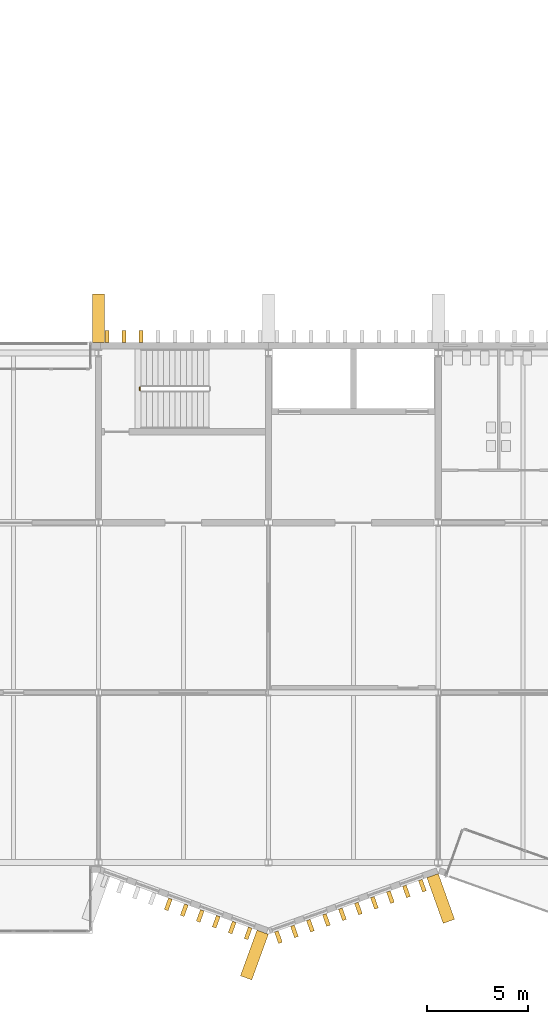
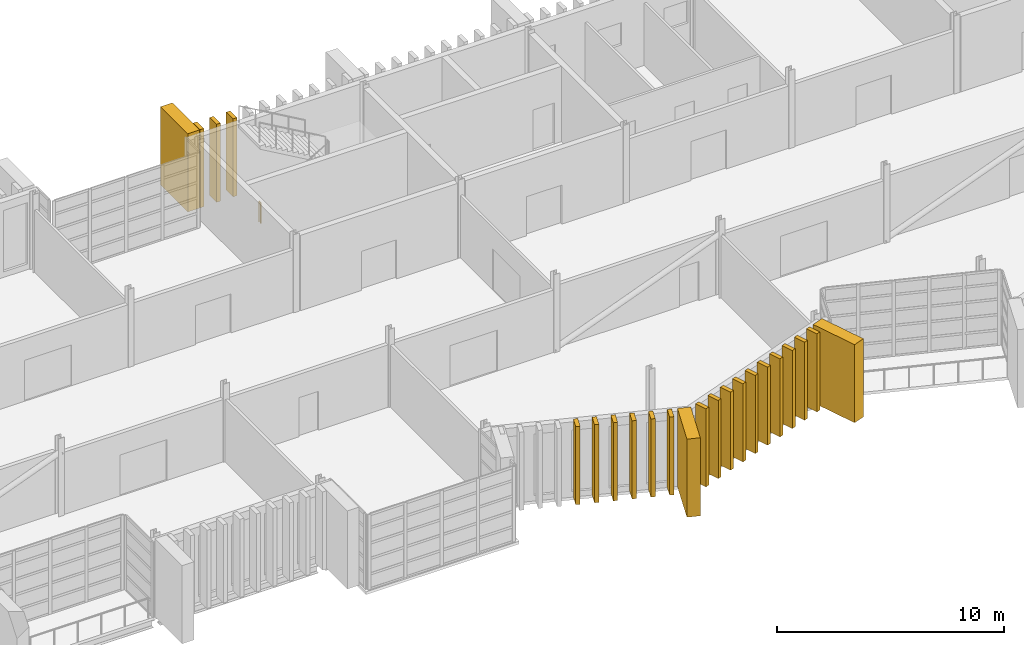
# One storey, part 92 of 100: 22 coverings, 1 railing.
"""IFC4 building model written with IfcOpenShell, lengths in metres."""

from ifc_helpers import new_model, si_unit, direction, frame, origin, origin_2d, place, context, subcontext, project, spatial, rectangle, circle, extrude, material, type_object, element, save


model = new_model("IFC4")

# Units and contexts
model_context = context("Model", 3, precision=1e-05, world=origin(), true_north=direction((0.0, 1.0)))
body_context = subcontext(model_context, "Body", "Model", "MODEL_VIEW")
ifc_project = project(units=[si_unit("LENGTHUNIT", "METRE"), si_unit("AREAUNIT", "SQUARE_METRE"), si_unit("VOLUMEUNIT", "CUBIC_METRE"), si_unit("PLANEANGLEUNIT", "RADIAN"), si_unit("MASSUNIT", "GRAM", prefix="KILO")], contexts=[model_context])

# Site, building, storey
site_placement = place(None, origin())
site = spatial("IfcSite", under=ifc_project, at=site_placement, CompositionType="ELEMENT")
building_placement = place(site_placement, origin())
building = spatial("IfcBuilding", under=site, at=building_placement, Name="Cresset Court Congress Hotel", CompositionType="ELEMENT")
storey_placement = place(building_placement, frame((0.0, 0.0, 10.199951171875)))
storey = spatial("IfcBuildingStorey", under=building, at=storey_placement, Name="L02", CompositionType="ELEMENT", Elevation=10.199951171875)

# Railing
ifc_material_1 = material(Name="Steel and laminated glass", Category="steel")
railing_type = type_object("IfcRailingType", Name="Guard 1100 steel and glass", PredefinedType="GUARDRAIL", material=ifc_material_1)
railing_placement = place(storey_placement, frame((102.85009765625, 23.35009765625, 0.0)))
element("IfcRailing", 1, at=railing_placement, inside=storey, type_object=railing_type, Name="L02 ST-B4 stair guard 4", PredefinedType="GUARDRAIL", context=body_context, shape_type="SweptSolid", body=[
    extrude(circle(Radius=0.02392578125, at=origin_2d()), frame((0.0, 0.0, 1.076171875), z_axis=(0.0, 1.0, 0.0), x_axis=(-1.0, 0.0, 0.0)), (0.0, 0.0, 1.0), 0.14990234375),
    extrude(circle(Radius=0.02099609375, at=origin_2d()), origin(), (0.0, 0.0, 1.0), 1.052001953125),
    extrude(circle(Radius=0.02099609375, at=origin_2d()), frame((0.0, 0.14990234375, 0.0)), (0.0, 0.0, 1.0), 1.052001953125),
])

# Coverings
ifc_material_2 = material(Name="Precast concrete C50", Category="concrete")
covering_type_1 = type_object("IfcCoveringType", Name="Precast stone fin 200x600 variant 1", PredefinedType="CLADDING", material=ifc_material_2)
for number, where, z_axis, x_axis, name in (
    (2, (104.250732421875, -2.072021484375, 0.0), (0.0, 0.0, 1.0), (0.939956783309, -0.341293488819, 0.0), "Fin S02-114"),
    (3, (105.040283203125, -2.358642578125, 0.0), (0.0, 0.0, 1.0), (0.939956783309, -0.341293488819, 0.0), "Fin S02-115"),
    (4, (105.829833984375, -2.6455078125, 0.0), (0.0, 0.0, 1.0), (0.939956783309, -0.341293488819, 0.0), "Fin S02-116"),
    (5, (106.619384765625, -2.93212890625, 0.0), (0.0, 0.0, 1.0), (0.939956783309, -0.341293488819, 0.0), "Fin S02-117"),
    (6, (107.408935546875, -3.21875, 0.0), (0.0, 0.0, 1.0), (0.939956783309, -0.341293488819, 0.0), "Fin S02-118"),
    (7, (108.198486328125, -3.505615234375, 0.0), (0.0, 0.0, 1.0), (0.939956783309, -0.341293488819, 0.0), "Fin S02-119"),
    (8, (109.696533203125, -3.691162109375, 0.0), (0.0, 0.0, 1.0), (0.94174205282, 0.336336001568, 0.0), "Fin S02-120"),
    (9, (110.487548828125, -3.40869140625, 0.0), (0.0, 0.0, 1.0), (0.94174205282, 0.336336001568, 0.0), "Fin S02-121"),
    (10, (111.278564453125, -3.126220703125, 0.0), (0.0, 0.0, 1.0), (0.94174205282, 0.336336001568, 0.0), "Fin S02-122"),
    (11, (112.069580078125, -2.84375, 0.0), (0.0, 0.0, 1.0), (0.94174205282, 0.336336001568, 0.0), "Fin S02-123"),
    (12, (112.860595703125, -2.561279296875, 0.0), (0.0, 0.0, 1.0), (0.94174205282, 0.336336001568, 0.0), "Fin S02-124"),
    (13, (113.65185546875, -2.278564453125, 0.0), (0.0, 0.0, 1.0), (0.94174205282, 0.336336001568, 0.0), "Fin S02-125"),
    (14, (114.44287109375, -1.99609375, 0.0), (0.0, 0.0, 1.0), (0.94174205282, 0.336336001568, 0.0), "Fin S02-126"),
    (15, (115.23388671875, -1.713623046875, 0.0), (0.0, 0.0, 1.0), (0.94174205282, 0.336336001568, 0.0), "Fin S02-127"),
    (16, (116.02490234375, -1.43115234375, 0.0), (0.0, 0.0, 1.0), (0.94174205282, 0.336336001568, 0.0), "Fin S02-128"),
    (17, (116.81591796875, -1.1484375, 0.0), (0.0, 0.0, 1.0), (0.94174205282, 0.336336001568, 0.0), "Fin S02-129"),
    (18, (101.219970703125, 26.0, 0.0), (0.0, 0.0, 1.0), (1.0, 0.0, 0.0), "Fin N02-110"),
    (19, (102.06005859375, 26.0, 0.0), (0.0, 0.0, 1.0), (1.0, 0.0, 0.0), "Fin N02-111"),
    (20, (102.89990234375, 26.0, 0.0), (0.0, 0.0, 1.0), (1.0, 0.0, 0.0), "Fin N02-112"),
):
    element("IfcCovering", number, at=place(storey_placement, frame(where, z_axis=z_axis, x_axis=x_axis)), inside=storey, type_object=covering_type_1, Name=name, PredefinedType="CLADDING", context=body_context, shape_type="SweptSolid", body=[
        extrude(rectangle(XDim=0.199951171875, YDim=0.60009765625, at=origin_2d()), origin(), (0.0, 0.0, 1.0), 4.199951171875),
    ])
ifc_material_3 = material(Name="Precast concrete C50", Category="concrete")
covering_type_2 = type_object("IfcCoveringType", Name="Precast stone pier 600x2400", PredefinedType="CLADDING", material=ifc_material_3)
for number, where, z_axis, x_axis, name in (
    (21, (108.508544921875, -4.575439453125, 0.0), (0.0, 0.0, 1.0), (0.939956783309, -0.341293488819, 0.0), "Pier S02-12"),
    (22, (117.72119140625, -1.781005859375, 0.0), (0.0, 0.0, 1.0), (0.94174205282, 0.336336001568, 0.0), "Pier S02-13"),
    (23, (100.800048828125, 26.89990234375, 0.0), (0.0, 0.0, 1.0), (1.0, 0.0, 0.0), "Pier N02-11"),
):
    element("IfcCovering", number, at=place(storey_placement, frame(where, z_axis=z_axis, x_axis=x_axis)), inside=storey, type_object=covering_type_2, Name=name, PredefinedType="CLADDING", context=body_context, shape_type="SweptSolid", body=[
        extrude(rectangle(XDim=0.60009765625, YDim=2.39990234375, at=origin_2d()), origin(), (0.0, 0.0, 1.0), 4.199951171875),
    ])

save(model, "model.ifc")
